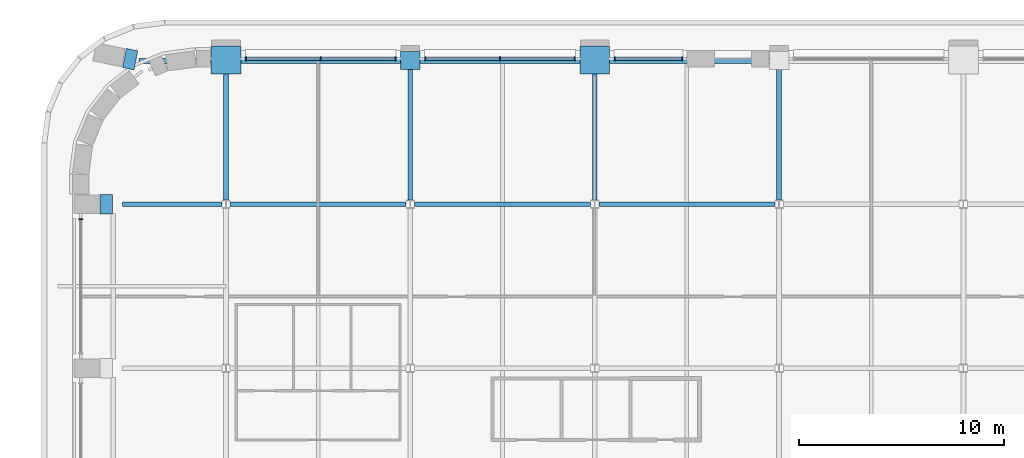
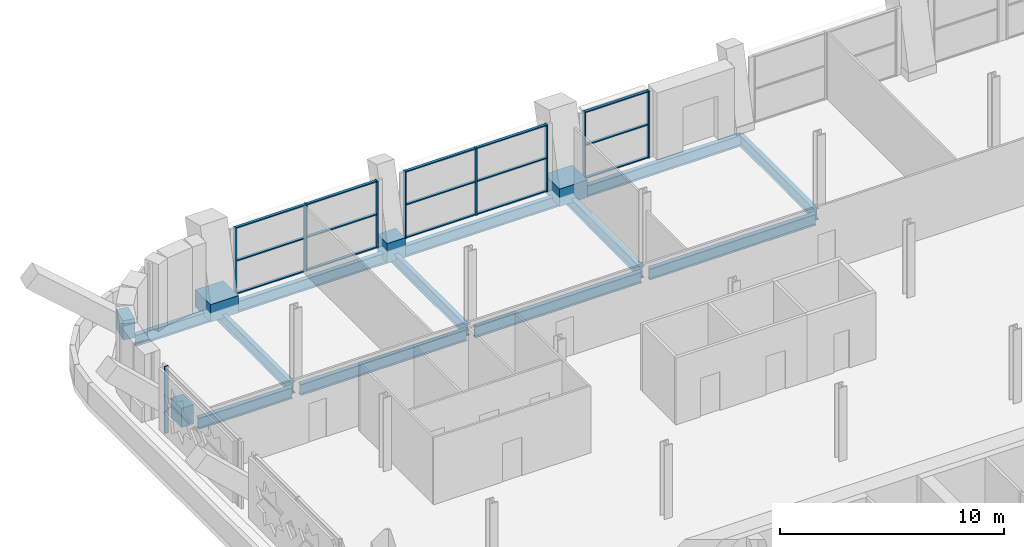
# One storey, part 7 of 23: 24 members, 15 beams, 4 elements without a shape of their own.
"""IFC4 building model written with IfcOpenShell, lengths in metres."""

from ifc_helpers import new_model, si_unit, direction, frame, origin, origin_2d, place, context, subcontext, project, spatial, rectangle, i_section, extrude, material, material_profile, profile_set, type_object, element, aggregate, save


model = new_model("IFC4")

# Units and contexts
model_context = context("Model", 3, precision=1e-05, world=origin(), true_north=direction((0.0, 1.0)))
body_context = subcontext(model_context, "Body", "Model", "MODEL_VIEW")
ifc_project = project(units=[si_unit("LENGTHUNIT", "METRE"), si_unit("AREAUNIT", "SQUARE_METRE"), si_unit("VOLUMEUNIT", "CUBIC_METRE"), si_unit("PLANEANGLEUNIT", "RADIAN"), si_unit("MASSUNIT", "GRAM", prefix="KILO")], contexts=[model_context])

# Site, building, storey
site_placement = place(None, origin())
site = spatial("IfcSite", under=ifc_project, at=site_placement, CompositionType="ELEMENT")
building_placement = place(site_placement, origin())
building = spatial("IfcBuilding", under=site, at=building_placement, Name="Zellij Exchange Tower", CompositionType="ELEMENT")
storey_placement = place(building_placement, frame((0.0, 0.0, 212.5)))
storey = spatial("IfcBuildingStorey", under=building, at=storey_placement, Name="L49", CompositionType="ELEMENT", Elevation=212.5)

# Curtain wall, members
ifc_material_1 = material(Name="Aluminium frame, clear insulating glass", Category="aluminium")
curtain_wall_type = type_object("IfcCurtainWallType", Name="ENV-CW6 Sky-lobby glazing", PredefinedType="NOTDEFINED", material=ifc_material_1)
curtain_wall_1_placement = place(storey_placement, origin())
curtain_wall_1 = element("IfcCurtainWall", 1, at=curtain_wall_1_placement, inside=storey, type_object=curtain_wall_type, Name="cw.L49.14g", PredefinedType="NOTDEFINED")
ifc_material_2 = material(Name="Aluminium", Category="aluminium")
ifc_material_profile_1 = material_profile(ifc_material_2, rectangle(XDim=0.06005859375, YDim=0.199951171875, at=origin_2d()), Name="AL 60x200")
ifc_profile_set_1 = profile_set([ifc_material_profile_1], Name="Aluminium")
member_type_1 = type_object("IfcMemberType", Name="ENV-CW6M Mullion 60x200", PredefinedType="MULLION", material=ifc_profile_set_1)
member_1_placement = place(storey_placement, frame((-4.72998046875, 29.10009765625, 0.0), z_axis=(0.0, 0.0, 1.0), x_axis=(-1.0, 0.0, 0.0)))
member_1 = element("IfcMember", 2, at=member_1_placement, type_object=member_type_1, Name="CW6 mullion 1", PredefinedType="MULLION", context=body_context, shape_type="SweptSolid", body=[
    extrude(rectangle(XDim=0.06005859375, YDim=0.199951171875, at=origin_2d()), origin(), (0.0, 0.0, 1.0), 3.64990234375),
])
member_2_placement = place(storey_placement, frame((-8.02001953125, 29.10009765625, 0.0), z_axis=(0.0, 0.0, 1.0), x_axis=(-1.0, 0.0, 0.0)))
member_2 = element("IfcMember", 3, at=member_2_placement, type_object=member_type_1, Name="CW6 mullion 2", PredefinedType="MULLION", context=body_context, shape_type="SweptSolid", body=[
    extrude(rectangle(XDim=0.06005859375, YDim=0.199951171875, at=origin_2d()), origin(), (0.0, 0.0, 1.0), 3.64990234375),
])

curtain_wall_2_placement = place(storey_placement, origin())
curtain_wall_2 = element("IfcCurtainWall", 4, at=curtain_wall_2_placement, inside=storey, type_object=curtain_wall_type, Name="cw.L49.14h", PredefinedType="NOTDEFINED")
member_3_placement = place(storey_placement, frame((-9.97998046875, 29.10009765625, 0.0), z_axis=(0.0, 0.0, 1.0), x_axis=(-1.0, 0.0, 0.0)))
member_3 = element("IfcMember", 5, at=member_3_placement, type_object=member_type_1, Name="CW6 mullion 1", PredefinedType="MULLION", context=body_context, shape_type="SweptSolid", body=[
    extrude(rectangle(XDim=0.06005859375, YDim=0.199951171875, at=origin_2d()), origin(), (0.0, 0.0, 1.0), 3.64990234375),
])
member_4_placement = place(storey_placement, frame((-13.625, 29.10009765625, 0.0), z_axis=(0.0, 0.0, 1.0), x_axis=(-1.0, 0.0, 0.0)))
member_4 = element("IfcMember", 6, at=member_4_placement, type_object=member_type_1, Name="CW6 mullion 2", PredefinedType="MULLION", context=body_context, shape_type="SweptSolid", body=[
    extrude(rectangle(XDim=0.06005859375, YDim=0.199951171875, at=origin_2d()), origin(), (0.0, 0.0, 1.0), 3.64990234375),
])
member_5_placement = place(storey_placement, frame((-17.27001953125, 29.10009765625, 0.0), z_axis=(0.0, 0.0, 1.0), x_axis=(-1.0, 0.0, 0.0)))
member_5 = element("IfcMember", 7, at=member_5_placement, type_object=member_type_1, Name="CW6 mullion 3", PredefinedType="MULLION", context=body_context, shape_type="SweptSolid", body=[
    extrude(rectangle(XDim=0.06005859375, YDim=0.199951171875, at=origin_2d()), origin(), (0.0, 0.0, 1.0), 3.64990234375),
])

curtain_wall_3_placement = place(storey_placement, origin())
curtain_wall_3 = element("IfcCurtainWall", 8, at=curtain_wall_3_placement, inside=storey, type_object=curtain_wall_type, Name="cw.L49.14i", PredefinedType="NOTDEFINED")
member_6_placement = place(storey_placement, frame((-18.72998046875, 29.10009765625, 0.0), z_axis=(0.0, 0.0, 1.0), x_axis=(-1.0, 0.0, 0.0)))
member_6 = element("IfcMember", 9, at=member_6_placement, type_object=member_type_1, Name="CW6 mullion 1", PredefinedType="MULLION", context=body_context, shape_type="SweptSolid", body=[
    extrude(rectangle(XDim=0.06005859375, YDim=0.199951171875, at=origin_2d()), origin(), (0.0, 0.0, 1.0), 3.64990234375),
])
member_7_placement = place(storey_placement, frame((-22.375, 29.10009765625, 0.0), z_axis=(0.0, 0.0, 1.0), x_axis=(-1.0, 0.0, 0.0)))
member_7 = element("IfcMember", 10, at=member_7_placement, type_object=member_type_1, Name="CW6 mullion 2", PredefinedType="MULLION", context=body_context, shape_type="SweptSolid", body=[
    extrude(rectangle(XDim=0.06005859375, YDim=0.199951171875, at=origin_2d()), origin(), (0.0, 0.0, 1.0), 3.64990234375),
])
member_8_placement = place(storey_placement, frame((-26.02001953125, 29.10009765625, 0.0), z_axis=(0.0, 0.0, 1.0), x_axis=(-1.0, 0.0, 0.0)))
member_8 = element("IfcMember", 11, at=member_8_placement, type_object=member_type_1, Name="CW6 mullion 3", PredefinedType="MULLION", context=body_context, shape_type="SweptSolid", body=[
    extrude(rectangle(XDim=0.06005859375, YDim=0.199951171875, at=origin_2d()), origin(), (0.0, 0.0, 1.0), 3.64990234375),
])

# Curtain wall, member
curtain_wall_4_placement = place(storey_placement, origin())
curtain_wall_4 = element("IfcCurtainWall", 12, at=curtain_wall_4_placement, inside=storey, type_object=curtain_wall_type, Name="cw.L49.21b", PredefinedType="NOTDEFINED")
member_9_placement = place(storey_placement, frame((-34.10009765625, 21.27001953125, 0.0), z_axis=(0.0, 0.0, 1.0), x_axis=(0.0, -1.0, 0.0)))
member_9 = element("IfcMember", 13, at=member_9_placement, type_object=member_type_1, Name="CW6 mullion 1", PredefinedType="MULLION", context=body_context, shape_type="SweptSolid", body=[
    extrude(rectangle(XDim=0.06005859375, YDim=0.199951171875, at=origin_2d()), origin(), (0.0, 0.0, 1.0), 3.64990234375),
])
aggregate(curtain_wall_4, [member_9])

# Member
ifc_material_profile_2 = material_profile(ifc_material_2, rectangle(XDim=0.139892578125, YDim=0.06005859375, at=origin_2d()), Name="AL 140x60")
ifc_profile_set_2 = profile_set([ifc_material_profile_2], Name="Aluminium")
member_type_2 = type_object("IfcMemberType", Name="ENV-CW6T Transom 140x60", PredefinedType="USERDEFINED", material=ifc_profile_set_2)
member_10_placement = place(storey_placement, frame((-4.760009765625, 29.10009765625, 0.030029296875), z_axis=(-1.0, 0.0, 0.0), x_axis=(0.0, -1.0, 0.0)))
member_10 = element("IfcMember", 14, at=member_10_placement, type_object=member_type_2, Name="CW6 transom 1.1", ObjectType="TRANSOM", PredefinedType="USERDEFINED", context=body_context, shape_type="SweptSolid", body=[
    extrude(rectangle(XDim=0.139892578125, YDim=0.06005859375, at=origin_2d()), origin(), (0.0, 0.0, 1.0), 3.22998046875),
])

member_11_placement = place(storey_placement, frame((-4.760009765625, 29.10009765625, 1.824951171875), z_axis=(-1.0, 0.0, 0.0), x_axis=(0.0, -1.0, 0.0)))
member_11 = element("IfcMember", 15, at=member_11_placement, type_object=member_type_2, Name="CW6 transom 1.2", ObjectType="TRANSOM", PredefinedType="USERDEFINED", context=body_context, shape_type="SweptSolid", body=[
    extrude(rectangle(XDim=0.139892578125, YDim=0.06005859375, at=origin_2d()), origin(), (0.0, 0.0, 1.0), 3.22998046875),
])

member_12_placement = place(storey_placement, frame((-4.760009765625, 29.10009765625, 3.6201171875), z_axis=(-1.0, 0.0, 0.0), x_axis=(0.0, -1.0, 0.0)))
member_12 = element("IfcMember", 16, at=member_12_placement, type_object=member_type_2, Name="CW6 transom 1.3", ObjectType="TRANSOM", PredefinedType="USERDEFINED", context=body_context, shape_type="SweptSolid", body=[
    extrude(rectangle(XDim=0.139892578125, YDim=0.06005859375, at=origin_2d()), origin(), (0.0, 0.0, 1.0), 3.22998046875),
])

aggregate(curtain_wall_1, [member_1, member_2, member_10, member_11, member_12])

member_13_placement = place(storey_placement, frame((-10.010009765625, 29.10009765625, 0.030029296875), z_axis=(-1.0, 0.0, 0.0), x_axis=(0.0, -1.0, 0.0)))
member_13 = element("IfcMember", 17, at=member_13_placement, type_object=member_type_2, Name="CW6 transom 1.1", ObjectType="TRANSOM", PredefinedType="USERDEFINED", context=body_context, shape_type="SweptSolid", body=[
    extrude(rectangle(XDim=0.139892578125, YDim=0.06005859375, at=origin_2d()), origin(), (0.0, 0.0, 1.0), 3.5849609375),
])

member_14_placement = place(storey_placement, frame((-10.010009765625, 29.10009765625, 1.824951171875), z_axis=(-1.0, 0.0, 0.0), x_axis=(0.0, -1.0, 0.0)))
member_14 = element("IfcMember", 18, at=member_14_placement, type_object=member_type_2, Name="CW6 transom 1.2", ObjectType="TRANSOM", PredefinedType="USERDEFINED", context=body_context, shape_type="SweptSolid", body=[
    extrude(rectangle(XDim=0.139892578125, YDim=0.06005859375, at=origin_2d()), origin(), (0.0, 0.0, 1.0), 3.5849609375),
])

member_15_placement = place(storey_placement, frame((-10.010009765625, 29.10009765625, 3.6201171875), z_axis=(-1.0, 0.0, 0.0), x_axis=(0.0, -1.0, 0.0)))
member_15 = element("IfcMember", 19, at=member_15_placement, type_object=member_type_2, Name="CW6 transom 1.3", ObjectType="TRANSOM", PredefinedType="USERDEFINED", context=body_context, shape_type="SweptSolid", body=[
    extrude(rectangle(XDim=0.139892578125, YDim=0.06005859375, at=origin_2d()), origin(), (0.0, 0.0, 1.0), 3.5849609375),
])

member_16_placement = place(storey_placement, frame((-13.655029296875, 29.10009765625, 0.030029296875), z_axis=(-1.0, 0.0, 0.0), x_axis=(0.0, -1.0, 0.0)))
member_16 = element("IfcMember", 20, at=member_16_placement, type_object=member_type_2, Name="CW6 transom 2.1", ObjectType="TRANSOM", PredefinedType="USERDEFINED", context=body_context, shape_type="SweptSolid", body=[
    extrude(rectangle(XDim=0.139892578125, YDim=0.06005859375, at=origin_2d()), origin(), (0.0, 0.0, 1.0), 3.5849609375),
])

member_17_placement = place(storey_placement, frame((-13.655029296875, 29.10009765625, 1.824951171875), z_axis=(-1.0, 0.0, 0.0), x_axis=(0.0, -1.0, 0.0)))
member_17 = element("IfcMember", 21, at=member_17_placement, type_object=member_type_2, Name="CW6 transom 2.2", ObjectType="TRANSOM", PredefinedType="USERDEFINED", context=body_context, shape_type="SweptSolid", body=[
    extrude(rectangle(XDim=0.139892578125, YDim=0.06005859375, at=origin_2d()), origin(), (0.0, 0.0, 1.0), 3.5849609375),
])

member_18_placement = place(storey_placement, frame((-13.655029296875, 29.10009765625, 3.6201171875), z_axis=(-1.0, 0.0, 0.0), x_axis=(0.0, -1.0, 0.0)))
member_18 = element("IfcMember", 22, at=member_18_placement, type_object=member_type_2, Name="CW6 transom 2.3", ObjectType="TRANSOM", PredefinedType="USERDEFINED", context=body_context, shape_type="SweptSolid", body=[
    extrude(rectangle(XDim=0.139892578125, YDim=0.06005859375, at=origin_2d()), origin(), (0.0, 0.0, 1.0), 3.5849609375),
])

aggregate(curtain_wall_2, [member_3, member_4, member_5, member_13, member_14, member_15, member_16, member_17, member_18])

member_19_placement = place(storey_placement, frame((-18.760009765625, 29.10009765625, 0.030029296875), z_axis=(-1.0, 0.0, 0.0), x_axis=(0.0, -1.0, 0.0)))
member_19 = element("IfcMember", 23, at=member_19_placement, type_object=member_type_2, Name="CW6 transom 1.1", ObjectType="TRANSOM", PredefinedType="USERDEFINED", context=body_context, shape_type="SweptSolid", body=[
    extrude(rectangle(XDim=0.139892578125, YDim=0.06005859375, at=origin_2d()), origin(), (0.0, 0.0, 1.0), 3.5849609375),
])

member_20_placement = place(storey_placement, frame((-18.760009765625, 29.10009765625, 1.824951171875), z_axis=(-1.0, 0.0, 0.0), x_axis=(0.0, -1.0, 0.0)))
member_20 = element("IfcMember", 24, at=member_20_placement, type_object=member_type_2, Name="CW6 transom 1.2", ObjectType="TRANSOM", PredefinedType="USERDEFINED", context=body_context, shape_type="SweptSolid", body=[
    extrude(rectangle(XDim=0.139892578125, YDim=0.06005859375, at=origin_2d()), origin(), (0.0, 0.0, 1.0), 3.5849609375),
])

member_21_placement = place(storey_placement, frame((-18.760009765625, 29.10009765625, 3.6201171875), z_axis=(-1.0, 0.0, 0.0), x_axis=(0.0, -1.0, 0.0)))
member_21 = element("IfcMember", 25, at=member_21_placement, type_object=member_type_2, Name="CW6 transom 1.3", ObjectType="TRANSOM", PredefinedType="USERDEFINED", context=body_context, shape_type="SweptSolid", body=[
    extrude(rectangle(XDim=0.139892578125, YDim=0.06005859375, at=origin_2d()), origin(), (0.0, 0.0, 1.0), 3.5849609375),
])

member_22_placement = place(storey_placement, frame((-22.405029296875, 29.10009765625, 0.030029296875), z_axis=(-1.0, 0.0, 0.0), x_axis=(0.0, -1.0, 0.0)))
member_22 = element("IfcMember", 26, at=member_22_placement, type_object=member_type_2, Name="CW6 transom 2.1", ObjectType="TRANSOM", PredefinedType="USERDEFINED", context=body_context, shape_type="SweptSolid", body=[
    extrude(rectangle(XDim=0.139892578125, YDim=0.06005859375, at=origin_2d()), origin(), (0.0, 0.0, 1.0), 3.5849609375),
])

member_23_placement = place(storey_placement, frame((-22.405029296875, 29.10009765625, 1.824951171875), z_axis=(-1.0, 0.0, 0.0), x_axis=(0.0, -1.0, 0.0)))
member_23 = element("IfcMember", 27, at=member_23_placement, type_object=member_type_2, Name="CW6 transom 2.2", ObjectType="TRANSOM", PredefinedType="USERDEFINED", context=body_context, shape_type="SweptSolid", body=[
    extrude(rectangle(XDim=0.139892578125, YDim=0.06005859375, at=origin_2d()), origin(), (0.0, 0.0, 1.0), 3.5849609375),
])

member_24_placement = place(storey_placement, frame((-22.405029296875, 29.10009765625, 3.6201171875), z_axis=(-1.0, 0.0, 0.0), x_axis=(0.0, -1.0, 0.0)))
member_24 = element("IfcMember", 28, at=member_24_placement, type_object=member_type_2, Name="CW6 transom 2.3", ObjectType="TRANSOM", PredefinedType="USERDEFINED", context=body_context, shape_type="SweptSolid", body=[
    extrude(rectangle(XDim=0.139892578125, YDim=0.06005859375, at=origin_2d()), origin(), (0.0, 0.0, 1.0), 3.5849609375),
])

aggregate(curtain_wall_3, [member_6, member_7, member_8, member_19, member_20, member_21, member_22, member_23, member_24])

# Beams
ifc_material_3 = material(Name="Concrete C60/75", Category="concrete")
ifc_material_profile_3 = material_profile(ifc_material_3, rectangle(XDim=0.949951171875, YDim=1.050048828125, at=origin_2d()), Name="STR-END BLOCK KNUCKLE RC950x1050 C60/75")
ifc_profile_set_3 = profile_set([ifc_material_profile_3], Name="Concrete C60/75")
beam_type_1 = type_object("IfcBeamType", Name="STR-END BLOCK KNUCKLE RC950x1050 C60/75", PredefinedType="BEAM", material=ifc_profile_set_3)
beam_1_placement = place(storey_placement, frame((-32.539794921875, 22.0, 0.324951171875), z_axis=(-1.0, 0.0, 0.0), x_axis=(0.0, -1.0, 0.0)))
element("IfcBeam", 29, at=beam_1_placement, inside=storey, type_object=beam_type_1, Name="EK1", PredefinedType="BEAM", context=body_context, shape_type="SweptSolid", body=[
    extrude(rectangle(XDim=0.949951171875, YDim=1.050048828125, at=origin_2d()), origin(), (0.0, 0.0, 1.0), 0.61669921875),
])
beam_2_placement = place(storey_placement, frame((-31.4013671875, 29.031005859375, 0.375), z_axis=(-0.979602700641, 0.200944143721, 0.0), x_axis=(-0.200944143721, -0.979602700641, 0.0)))
element("IfcBeam", 30, at=beam_2_placement, inside=storey, type_object=beam_type_1, Name="EK1", PredefinedType="BEAM", context=body_context, shape_type="SweptSolid", body=[
    extrude(rectangle(XDim=0.949951171875, YDim=1.050048828125, at=origin_2d()), origin(), (0.0, 0.0, 1.0), 0.563720703125),
])
ifc_material_4 = material(Name="Structural steel ASTM A992 Gr 50", Category="steel")
ifc_material_profile_4 = material_profile(ifc_material_4, i_section(OverallWidth=0.228271484375, OverallDepth=0.607177734375, WebThickness=0.01123046875, FlangeThickness=0.017333984375, at=origin_2d()), Name="W24x76")
ifc_profile_set_4 = profile_set([ifc_material_profile_4], Name="Structural steel ASTM A992 Gr 50")
beam_type_2 = type_object("IfcBeamType", Name="STR-GIRDER W24x76", PredefinedType="BEAM", material=ifc_profile_set_4)
beam_3_placement = place(storey_placement, frame((-32.050048828125, 22.0, -0.603515625), z_axis=(1.0, 0.0, 0.0), x_axis=(0.0, 1.0, 0.0)))
element("IfcBeam", 31, at=beam_3_placement, inside=storey, type_object=beam_type_2, Name="G2", PredefinedType="BEAM", context=body_context, shape_type="SweptSolid", body=[
    extrude(i_section(OverallWidth=0.228271484375, OverallDepth=0.607177734375, WebThickness=0.01123046875, FlangeThickness=0.017333984375, at=origin_2d()), origin(), (0.0, 0.0, 1.0), 4.845458984375),
])
for number, where, z_axis, x_axis, name in (
    (32, (-26.79541015625, 22.0, -0.603515625), (1.0, 0.0, 0.0), (0.0, 1.0, 0.0), "G2"),
    (33, (-17.79541015625, 22.0, -0.603515625), (1.0, 0.0, 0.0), (0.0, 1.0, 0.0), "G2"),
    (34, (-8.79541015625, 22.0, -0.603515625), (1.0, 0.0, 0.0), (0.0, 1.0, 0.0), "G2"),
):
    element("IfcBeam", number, at=place(storey_placement, frame(where, z_axis=z_axis, x_axis=x_axis)), inside=storey, type_object=beam_type_2, Name=name, PredefinedType="BEAM", context=body_context, shape_type="SweptSolid", body=[
        extrude(i_section(OverallWidth=0.228271484375, OverallDepth=0.607177734375, WebThickness=0.01123046875, FlangeThickness=0.017333984375, at=origin_2d()), origin(), (0.0, 0.0, 1.0), 8.5908203125),
    ])
beam_4_placement = place(storey_placement, frame((-31.25, 29.0, -0.603515625), z_axis=(1.0, 0.0, 0.0), x_axis=(0.0, 1.0, 0.0)))
element("IfcBeam", 35, at=beam_4_placement, inside=storey, type_object=beam_type_2, Name="G2", PredefinedType="BEAM", context=body_context, shape_type="SweptSolid", body=[
    extrude(i_section(OverallWidth=0.228271484375, OverallDepth=0.607177734375, WebThickness=0.01123046875, FlangeThickness=0.017333984375, at=origin_2d()), origin(), (0.0, 0.0, 1.0), 13.25),
])
beam_5_placement = place(storey_placement, frame((-18.0, 29.0, -0.603515625), z_axis=(1.0, 0.0, 0.0), x_axis=(0.0, 1.0, 0.0)))
element("IfcBeam", 36, at=beam_5_placement, inside=storey, type_object=beam_type_2, Name="G2", PredefinedType="BEAM", context=body_context, shape_type="SweptSolid", body=[
    extrude(i_section(OverallWidth=0.228271484375, OverallDepth=0.607177734375, WebThickness=0.01123046875, FlangeThickness=0.017333984375, at=origin_2d()), origin(), (0.0, 0.0, 1.0), 18.0),
])
for number, where, z_axis, x_axis, name in (
    (37, (-27.0, 22.212158203125, -0.603515625), (0.0, 1.0, 0.0), (-1.0, 0.0, 0.0), "G2"),
    (38, (-18.0, 22.212158203125, -0.603515625), (0.0, 1.0, 0.0), (-1.0, 0.0, 0.0), "G2"),
    (39, (-9.0, 22.212158203125, -0.603515625), (0.0, 1.0, 0.0), (-1.0, 0.0, 0.0), "G2"),
    (40, (0.0, 22.212158203125, -0.603515625), (0.0, 1.0, 0.0), (-1.0, 0.0, 0.0), "G2"),
):
    element("IfcBeam", number, at=place(storey_placement, frame(where, z_axis=z_axis, x_axis=x_axis)), inside=storey, type_object=beam_type_2, Name=name, PredefinedType="BEAM", context=body_context, shape_type="SweptSolid", body=[
        extrude(i_section(OverallWidth=0.228271484375, OverallDepth=0.607177734375, WebThickness=0.01123046875, FlangeThickness=0.017333984375, at=origin_2d()), origin(), (0.0, 0.0, 1.0), 6.787841796875),
    ])
ifc_material_profile_5 = material_profile(ifc_material_3, rectangle(XDim=1.449951171875, YDim=0.949951171875, at=origin_2d()), Name="STR-KNUCKLE BLOCK RC1450x950 C60/75")
ifc_profile_set_5 = profile_set([ifc_material_profile_5], Name="Concrete C60/75")
beam_type_3 = type_object("IfcBeamType", Name="STR-KNUCKLE BLOCK RC1450x950 C60/75", PredefinedType="BEAM", material=ifc_profile_set_5)
for number, where, z_axis, x_axis, name in (
    (41, (-27.0, 28.36328125, -0.02490234375), (0.0, 1.0, 0.0), (-1.0, 0.0, 0.0), "KB7"),
    (42, (-9.0, 28.36328125, -0.02490234375), (0.0, 1.0, 0.0), (-1.0, 0.0, 0.0), "KB7"),
):
    element("IfcBeam", number, at=place(storey_placement, frame(where, z_axis=z_axis, x_axis=x_axis)), inside=storey, type_object=beam_type_3, Name=name, PredefinedType="BEAM", context=body_context, shape_type="SweptSolid", body=[
        extrude(rectangle(XDim=1.449951171875, YDim=0.949951171875, at=origin_2d()), origin(), (0.0, 0.0, 1.0), 1.358154296875),
    ])
ifc_material_profile_6 = material_profile(ifc_material_3, rectangle(XDim=0.949951171875, YDim=1.050048828125, at=origin_2d()), Name="STR-KNUCKLE BLOCK RC950x1050 C60/75")
ifc_profile_set_6 = profile_set([ifc_material_profile_6], Name="Concrete C60/75")
beam_type_4 = type_object("IfcBeamType", Name="STR-KNUCKLE BLOCK RC950x1050 C60/75", PredefinedType="BEAM", material=ifc_profile_set_6)
beam_6_placement = place(storey_placement, frame((-18.0, 28.5908203125, -0.125), z_axis=(0.0, 1.0, 0.0), x_axis=(-1.0, 0.0, 0.0)))
element("IfcBeam", 43, at=beam_6_placement, inside=storey, type_object=beam_type_4, Name="KB2", PredefinedType="BEAM", context=body_context, shape_type="SweptSolid", body=[
    extrude(rectangle(XDim=0.949951171875, YDim=1.050048828125, at=origin_2d()), origin(), (0.0, 0.0, 1.0), 0.873046875),
])

save(model, "model.ifc")
